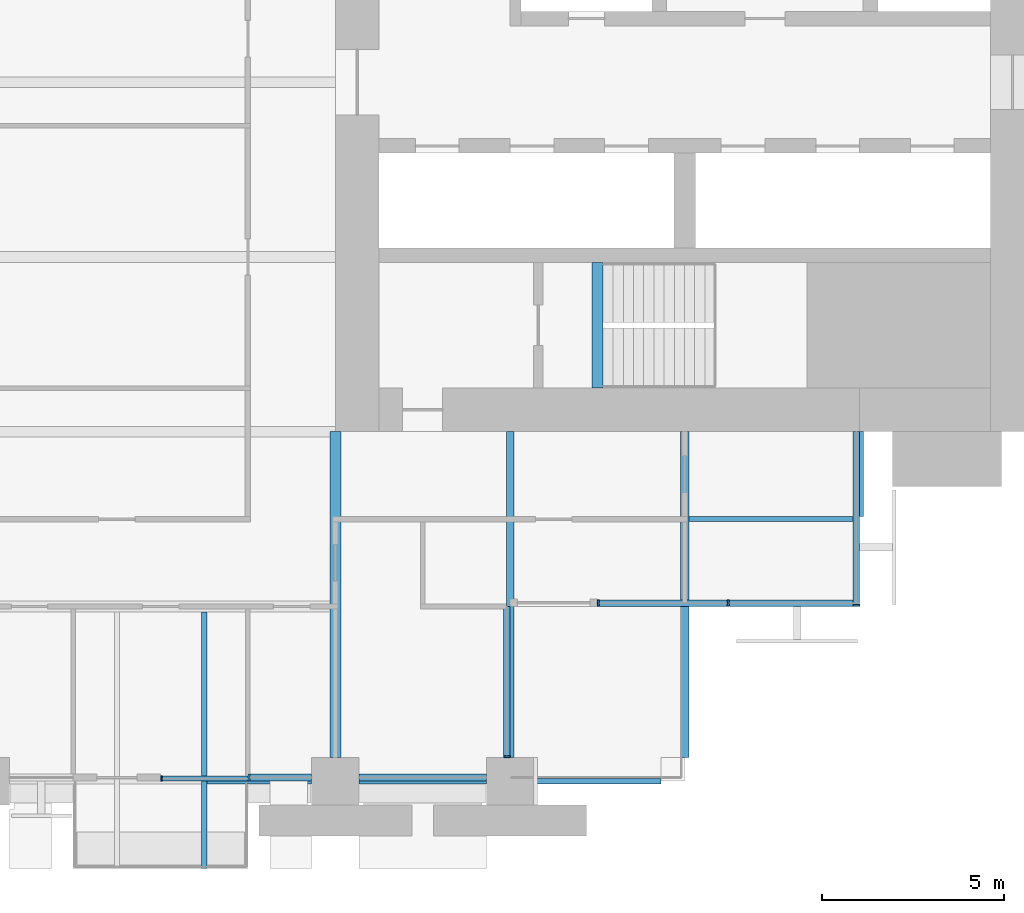
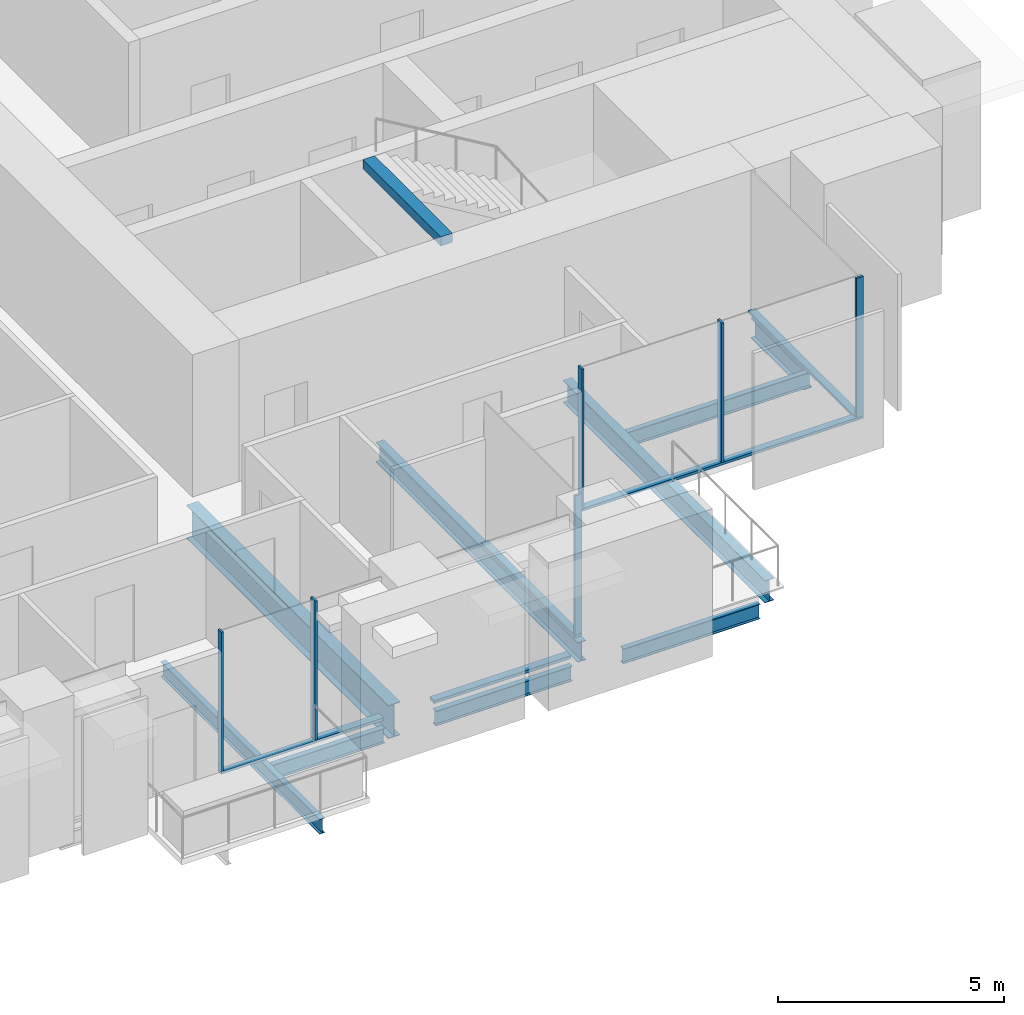
# One storey, part 4 of 15: 12 members, 10 beams, 5 elements without a shape of their own.
"""IFC4 building model written with IfcOpenShell, lengths in metres."""

from ifc_helpers import new_model, si_unit, direction, frame, origin, origin_2d, place, context, subcontext, project, spatial, rectangle, i_section, extrude, material, material_profile, profile_set, type_object, element, aggregate, save


model = new_model("IFC4")

# Units and contexts
model_context = context("Model", 3, precision=1e-05, world=origin(), true_north=direction((0.0, 1.0)))
body_context = subcontext(model_context, "Body", "Model", "MODEL_VIEW")
ifc_project = project(units=[si_unit("LENGTHUNIT", "METRE"), si_unit("AREAUNIT", "SQUARE_METRE"), si_unit("VOLUMEUNIT", "CUBIC_METRE"), si_unit("PLANEANGLEUNIT", "RADIAN"), si_unit("MASSUNIT", "GRAM", prefix="KILO")], contexts=[model_context])

# Site, building, storey
site_placement = place(None, origin())
site = spatial("IfcSite", under=ifc_project, at=site_placement, CompositionType="ELEMENT")
building_placement = place(site_placement, origin())
building = spatial("IfcBuilding", under=site, at=building_placement, Name="Baori Bourse Tower", CompositionType="ELEMENT")
storey_placement = place(building_placement, frame((0.0, 0.0, 59.0)))
storey = spatial("IfcBuildingStorey", under=building, at=storey_placement, Name="L12", CompositionType="ELEMENT", Elevation=59.0)

# Beam
ifc_material_1 = material(Name="Steel A992 Gr 50", Category="steel")
ifc_material_profile_1 = material_profile(ifc_material_1, i_section(OverallWidth=0.140380859375, OverallDepth=0.40380859375, WebThickness=0.007080078125, FlangeThickness=0.01123046875, at=origin_2d()), Name="W16x31")
ifc_profile_set_1 = profile_set([ifc_material_profile_1], Name="Steel A992 Gr 50")
beam_type_1 = type_object("IfcBeamType", Name="Balcony beam W16x31", PredefinedType="BEAM", material=ifc_profile_set_1)
beam_1_placement = place(storey_placement, frame((34.800048828125, -2.39990234375, -0.36181640625), z_axis=(0.0, 1.0, 0.0), x_axis=(-1.0, 0.0, 0.0)))
element("IfcBeam", 1, at=beam_1_placement, inside=storey, type_object=beam_type_1, Name="Balcony beam L12", PredefinedType="BEAM", context=body_context, shape_type="SweptSolid", body=[
    extrude(i_section(OverallWidth=0.140380859375, OverallDepth=0.40380859375, WebThickness=0.007080078125, FlangeThickness=0.01123046875, at=origin_2d()), origin(), (0.0, 0.0, 1.0), 7.050048828125),
])

# Curtain wall, members
ifc_material_2 = material(Name="Pale anodised aluminium", Category="aluminium")
curtain_wall_type_1 = type_object("IfcCurtainWallType", Name="CW1 Curtain wall", PredefinedType="NOTDEFINED", material=ifc_material_2)
curtain_wall_1_placement = place(storey_placement, origin())
curtain_wall_1 = element("IfcCurtainWall", 2, at=curtain_wall_1_placement, inside=storey, type_object=curtain_wall_type_1, Name="Curtain wall CW1 L12 15", PredefinedType="NOTDEFINED")
ifc_material_3 = material(Name="Pale anodised aluminium", Category="aluminium")
ifc_material_profile_2 = material_profile(ifc_material_3, rectangle(XDim=0.199951171875, YDim=0.06005859375, at=origin_2d()), Name="Mullion 60x200")
ifc_profile_set_2 = profile_set([ifc_material_profile_2], Name="Pale anodised aluminium")
member_type_1 = type_object("IfcMemberType", Name="CW1 Curtain wall mullion", PredefinedType="MULLION", material=ifc_profile_set_2)
member_1_placement = place(storey_placement, frame((36.030029296875, 0.10009765625, 0.080078125), z_axis=(0.0, 0.0, 1.0), x_axis=(0.0, 1.0, 0.0)))
member_1 = element("IfcMember", 3, at=member_1_placement, type_object=member_type_1, Name="Curtain wall CW1 mullion", PredefinedType="MULLION", context=body_context, shape_type="SweptSolid", body=[
    extrude(rectangle(XDim=0.199951171875, YDim=0.06005859375, at=origin_2d()), origin(), (0.0, 0.0, 1.0), 3.760009765625),
])
ifc_material_4 = material(Name="Pale anodised aluminium", Category="aluminium")
ifc_material_profile_3 = material_profile(ifc_material_4, rectangle(XDim=0.199951171875, YDim=0.080078125, at=origin_2d()), Name="Transom 80x200")
ifc_profile_set_3 = profile_set([ifc_material_profile_3], Name="Pale anodised aluminium")
member_type_2 = type_object("IfcMemberType", Name="CW1 Curtain wall transom", PredefinedType="USERDEFINED", material=ifc_profile_set_3)
member_2_placement = place(storey_placement, frame((36.0, 0.10009765625, 0.0400390625), z_axis=(1.0, 0.0, 0.0), x_axis=(0.0, 1.0, 0.0)))
member_2 = element("IfcMember", 4, at=member_2_placement, type_object=member_type_2, Name="Curtain wall CW1 sill rail", ObjectType="TRANSOM", PredefinedType="USERDEFINED", context=body_context, shape_type="SweptSolid", body=[
    extrude(rectangle(XDim=0.199951171875, YDim=0.080078125, at=origin_2d()), origin(), (0.0, 0.0, 1.0), 1.75),
])
member_3_placement = place(storey_placement, frame((39.050048828125, 0.10009765625, 0.0400390625), z_axis=(1.0, 0.0, 0.0), x_axis=(0.0, 1.0, 0.0)))
member_3 = element("IfcMember", 5, at=member_3_placement, type_object=member_type_2, Name="Curtain wall CW1 sill rail", ObjectType="TRANSOM", PredefinedType="USERDEFINED", context=body_context, shape_type="SweptSolid", body=[
    extrude(rectangle(XDim=0.199951171875, YDim=0.080078125, at=origin_2d()), origin(), (0.0, 0.0, 1.0), 3.5),
])
aggregate(curtain_wall_1, [member_2, member_1, member_3])

# Curtain wall, member
ifc_material_5 = material(Name="Pale anodised aluminium", Category="aluminium")
curtain_wall_type_2 = type_object("IfcCurtainWallType", Name="CW2 Curtain wall", PredefinedType="NOTDEFINED", material=ifc_material_5)
curtain_wall_2_placement = place(storey_placement, origin())
curtain_wall_2 = element("IfcCurtainWall", 6, at=curtain_wall_2_placement, inside=storey, type_object=curtain_wall_type_2, Name="Curtain wall CW2 L12 16", PredefinedType="NOTDEFINED")
ifc_material_6 = material(Name="Pale anodised aluminium", Category="aluminium")
ifc_material_profile_4 = material_profile(ifc_material_6, rectangle(XDim=0.179931640625, YDim=0.054931640625, at=origin_2d()), Name="Mullion 55x180")
ifc_profile_set_4 = profile_set([ifc_material_profile_4], Name="Pale anodised aluminium")
member_type_3 = type_object("IfcMemberType", Name="CW2 Curtain wall mullion", PredefinedType="MULLION", material=ifc_profile_set_4)
member_4_placement = place(storey_placement, frame((43.110107421875, 0.677490234375, 0.070068359375), z_axis=(0.0, 0.0, 1.0), x_axis=(-1.0, 0.0, 0.0)))
member_4 = element("IfcMember", 7, at=member_4_placement, type_object=member_type_3, Name="Curtain wall CW2 mullion", PredefinedType="MULLION", context=body_context, shape_type="SweptSolid", body=[
    extrude(rectangle(XDim=0.179931640625, YDim=0.054931640625, at=origin_2d()), origin(), (0.0, 0.0, 1.0), 3.77001953125),
])

# Curtain wall, members
curtain_wall_3_placement = place(storey_placement, origin())
curtain_wall_3 = element("IfcCurtainWall", 8, at=curtain_wall_3_placement, inside=storey, type_object=curtain_wall_type_2, Name="Curtain wall CW2 L12 17", PredefinedType="NOTDEFINED")
member_5_placement = place(storey_placement, frame((45.62744140625, 4.889892578125, 0.070068359375), z_axis=(0.0, 0.0, 1.0), x_axis=(0.0, 1.0, 0.0)))
member_5 = element("IfcMember", 9, at=member_5_placement, type_object=member_type_3, Name="Curtain wall CW2 mullion", PredefinedType="MULLION", context=body_context, shape_type="SweptSolid", body=[
    extrude(rectangle(XDim=0.179931640625, YDim=0.054931640625, at=origin_2d()), origin(), (0.0, 0.0, 1.0), 3.77001953125),
])
member_6_placement = place(storey_placement, frame((49.199951171875, 4.889892578125, 0.070068359375), z_axis=(0.0, 0.0, 1.0), x_axis=(0.0, 1.0, 0.0)))
member_6 = element("IfcMember", 10, at=member_6_placement, type_object=member_type_3, Name="Curtain wall CW2 mullion", PredefinedType="MULLION", context=body_context, shape_type="SweptSolid", body=[
    extrude(rectangle(XDim=0.179931640625, YDim=0.054931640625, at=origin_2d()), origin(), (0.0, 0.0, 1.0), 3.77001953125),
])

# Curtain wall, member
curtain_wall_4_placement = place(storey_placement, origin())
curtain_wall_4 = element("IfcCurtainWall", 11, at=curtain_wall_4_placement, inside=storey, type_object=curtain_wall_type_2, Name="Curtain wall CW2 L12 18", PredefinedType="NOTDEFINED")
member_7_placement = place(storey_placement, frame((52.7099609375, 4.827392578125, 0.070068359375), z_axis=(0.0, 0.0, 1.0), x_axis=(-1.0, 0.0, 0.0)))
member_7 = element("IfcMember", 12, at=member_7_placement, type_object=member_type_3, Name="Curtain wall CW2 mullion", PredefinedType="MULLION", context=body_context, shape_type="SweptSolid", body=[
    extrude(rectangle(XDim=0.179931640625, YDim=0.054931640625, at=origin_2d()), origin(), (0.0, 0.0, 1.0), 3.77001953125),
])

# Member
ifc_material_7 = material(Name="Pale anodised aluminium", Category="aluminium")
ifc_material_profile_5 = material_profile(ifc_material_7, rectangle(XDim=0.179931640625, YDim=0.070068359375, at=origin_2d()), Name="Transom 70x180")
ifc_profile_set_5 = profile_set([ifc_material_profile_5], Name="Pale anodised aluminium")
member_type_4 = type_object("IfcMemberType", Name="CW2 Curtain wall transom", PredefinedType="USERDEFINED", material=ifc_profile_set_5)
member_8_placement = place(storey_placement, frame((43.110107421875, 0.64990234375, 0.034912109375), z_axis=(0.0, 1.0, 0.0), x_axis=(-1.0, 0.0, 0.0)))
member_8 = element("IfcMember", 13, at=member_8_placement, type_object=member_type_4, Name="Curtain wall CW2 sill rail", ObjectType="TRANSOM", PredefinedType="USERDEFINED", context=body_context, shape_type="SweptSolid", body=[
    extrude(rectangle(XDim=0.179931640625, YDim=0.070068359375, at=origin_2d()), origin(), (0.0, 0.0, 1.0), 4.150146484375),
])

aggregate(curtain_wall_2, [member_8, member_4])

member_9_placement = place(storey_placement, frame((45.60009765625, 4.889892578125, 0.034912109375), z_axis=(1.0, 0.0, 0.0), x_axis=(0.0, 1.0, 0.0)))
member_9 = element("IfcMember", 14, at=member_9_placement, type_object=member_type_4, Name="Curtain wall CW2 sill rail", ObjectType="TRANSOM", PredefinedType="USERDEFINED", context=body_context, shape_type="SweptSolid", body=[
    extrude(rectangle(XDim=0.179931640625, YDim=0.070068359375, at=origin_2d()), origin(), (0.0, 0.0, 1.0), 7.199951171875),
])

aggregate(curtain_wall_3, [member_9, member_5, member_6])

member_10_placement = place(storey_placement, frame((52.7099609375, 4.800048828125, 0.034912109375), z_axis=(0.0, 1.0, 0.0), x_axis=(-1.0, 0.0, 0.0)))
member_10 = element("IfcMember", 15, at=member_10_placement, type_object=member_type_4, Name="Curtain wall CW2 sill rail", ObjectType="TRANSOM", PredefinedType="USERDEFINED", context=body_context, shape_type="SweptSolid", body=[
    extrude(rectangle(XDim=0.179931640625, YDim=0.070068359375, at=origin_2d()), origin(), (0.0, 0.0, 1.0), 4.800048828125),
])

aggregate(curtain_wall_4, [member_10, member_7])

# Curtain wall, members
ifc_material_8 = material(Name="Pale anodised aluminium", Category="aluminium")
curtain_wall_type_3 = type_object("IfcCurtainWallType", Name="CW6 Curtain wall", PredefinedType="NOTDEFINED", material=ifc_material_8)
curtain_wall_5_placement = place(storey_placement, origin())
curtain_wall_5 = element("IfcCurtainWall", 16, at=curtain_wall_5_placement, inside=storey, type_object=curtain_wall_type_3, Name="Curtain wall CW6 L12 14", PredefinedType="NOTDEFINED")
ifc_material_9 = material(Name="Pale anodised aluminium", Category="aluminium")
ifc_material_profile_6 = material_profile(ifc_material_9, rectangle(XDim=0.14990234375, YDim=0.050048828125, at=origin_2d()), Name="Mullion 50x150")
ifc_profile_set_6 = profile_set([ifc_material_profile_6], Name="Pale anodised aluminium")
member_type_5 = type_object("IfcMemberType", Name="CW6 Curtain wall mullion", PredefinedType="MULLION", material=ifc_profile_set_6)
member_11_placement = place(storey_placement, frame((33.625, 0.074951171875, 0.06494140625), z_axis=(0.0, 0.0, 1.0), x_axis=(0.0, 1.0, 0.0)))
member_11 = element("IfcMember", 17, at=member_11_placement, type_object=member_type_5, Name="Curtain wall CW6 mullion", PredefinedType="MULLION", context=body_context, shape_type="SweptSolid", body=[
    extrude(rectangle(XDim=0.14990234375, YDim=0.050048828125, at=origin_2d()), origin(), (0.0, 0.0, 1.0), 3.775146484375),
])
ifc_material_10 = material(Name="Pale anodised aluminium", Category="aluminium")
ifc_material_profile_7 = material_profile(ifc_material_10, rectangle(XDim=0.14990234375, YDim=0.06494140625, at=origin_2d()), Name="Transom 65x150")
ifc_profile_set_7 = profile_set([ifc_material_profile_7], Name="Pale anodised aluminium")
member_type_6 = type_object("IfcMemberType", Name="CW6 Curtain wall transom", PredefinedType="USERDEFINED", material=ifc_profile_set_7)
member_12_placement = place(storey_placement, frame((33.60009765625, 0.074951171875, 0.032470703125), z_axis=(1.0, 0.0, 0.0), x_axis=(0.0, 1.0, 0.0)))
member_12 = element("IfcMember", 18, at=member_12_placement, type_object=member_type_6, Name="Curtain wall CW6 sill rail", ObjectType="TRANSOM", PredefinedType="USERDEFINED", context=body_context, shape_type="SweptSolid", body=[
    extrude(rectangle(XDim=0.14990234375, YDim=0.06494140625, at=origin_2d()), origin(), (0.0, 0.0, 1.0), 2.39990234375),
])
aggregate(curtain_wall_5, [member_12, member_11])

# Beams
ifc_material_11 = material(Name="Steel A992 Gr 50", Category="steel")
ifc_material_profile_8 = material_profile(ifc_material_11, i_section(OverallWidth=0.21240234375, OverallDepth=0.54345703125, WebThickness=0.01318359375, FlangeThickness=0.021240234375, at=origin_2d()), Name="W21x83")
ifc_profile_set_8 = profile_set([ifc_material_profile_8], Name="Steel A992 Gr 50")
beam_type_2 = type_object("IfcBeamType", Name="Core bracket W21x83", PredefinedType="BEAM", material=ifc_profile_set_8)
beam_2_placement = place(storey_placement, frame((52.800048828125, 7.270263671875, -0.431884765625), z_axis=(0.0, 1.0, 0.0), x_axis=(-1.0, 0.0, 0.0)))
element("IfcBeam", 19, at=beam_2_placement, inside=storey, type_object=beam_type_2, Name="Core bracket L12", PredefinedType="BEAM", context=body_context, shape_type="SweptSolid", body=[
    extrude(i_section(OverallWidth=0.21240234375, OverallDepth=0.54345703125, WebThickness=0.01318359375, FlangeThickness=0.021240234375, at=origin_2d()), origin(), (0.0, 0.0, 1.0), 2.329833984375),
])
ifc_material_12 = material(Name="Steel A992 Gr 50", Category="steel")
ifc_material_profile_9 = material_profile(ifc_material_12, i_section(OverallWidth=0.140380859375, OverallDepth=0.40380859375, WebThickness=0.007080078125, FlangeThickness=0.01123046875, at=origin_2d()), Name="W16x31")
ifc_profile_set_9 = profile_set([ifc_material_profile_9], Name="Steel A992 Gr 50")
beam_type_3 = type_object("IfcBeamType", Name="Edge beam W16x31", PredefinedType="BEAM", material=ifc_profile_set_9)
beam_3_placement = place(storey_placement, frame((34.8701171875, 0.0, -0.36181640625), z_axis=(1.0, 0.0, 0.0), x_axis=(0.0, 1.0, 0.0)))
element("IfcBeam", 20, at=beam_3_placement, inside=storey, type_object=beam_type_3, Name="Edge beam L12", PredefinedType="BEAM", context=body_context, shape_type="SweptSolid", body=[
    extrude(i_section(OverallWidth=0.140380859375, OverallDepth=0.40380859375, WebThickness=0.007080078125, FlangeThickness=0.01123046875, at=origin_2d()), origin(), (0.0, 0.0, 1.0), 2.8798828125),
])
for number, where, z_axis, x_axis, name in (
    (21, (39.050048828125, 0.0, -0.36181640625), (1.0, 0.0, 0.0), (0.0, 1.0, 0.0), "Edge beam L12"),
    (22, (43.85009765625, 0.0, -0.36181640625), (1.0, 0.0, 0.0), (0.0, 1.0, 0.0), "Edge beam L12"),
):
    element("IfcBeam", number, at=place(storey_placement, frame(where, z_axis=z_axis, x_axis=x_axis)), inside=storey, type_object=beam_type_3, Name=name, PredefinedType="BEAM", context=body_context, shape_type="SweptSolid", body=[
        extrude(i_section(OverallWidth=0.140380859375, OverallDepth=0.40380859375, WebThickness=0.007080078125, FlangeThickness=0.01123046875, at=origin_2d()), origin(), (0.0, 0.0, 1.0), 3.5),
    ])
ifc_material_13 = material(Name="Steel A992 Gr 50", Category="steel")
ifc_material_profile_10 = material_profile(ifc_material_13, i_section(OverallWidth=0.209228515625, OverallDepth=0.533447265625, WebThickness=0.01025390625, FlangeThickness=0.015625, at=origin_2d()), Name="W21x62")
ifc_profile_set_10 = profile_set([ifc_material_profile_10], Name="Steel A992 Gr 50")
beam_type_4 = type_object("IfcBeamType", Name="Floor beam W21x62", PredefinedType="BEAM", material=ifc_profile_set_10)
beam_4_placement = place(storey_placement, frame((43.199951171875, 0.64990234375, -0.4267578125), z_axis=(0.0, 1.0, 0.0), x_axis=(-1.0, 0.0, 0.0)))
element("IfcBeam", 23, at=beam_4_placement, inside=storey, type_object=beam_type_4, Name="Floor beam L12", PredefinedType="BEAM", context=body_context, shape_type="SweptSolid", body=[
    extrude(i_section(OverallWidth=0.209228515625, OverallDepth=0.533447265625, WebThickness=0.01025390625, FlangeThickness=0.015625, at=origin_2d()), origin(), (0.0, 0.0, 1.0), 8.9501953125),
])
ifc_material_14 = material(Name="Steel A992 Gr 50", Category="steel")
ifc_material_profile_11 = material_profile(ifc_material_14, i_section(OverallWidth=0.227783203125, OverallDepth=0.60205078125, WebThickness=0.010498046875, FlangeThickness=0.014892578125, at=origin_2d()), Name="W24x68")
ifc_profile_set_11 = profile_set([ifc_material_profile_11], Name="Steel A992 Gr 50")
beam_type_5 = type_object("IfcBeamType", Name="Floor beam W24x68", PredefinedType="BEAM", material=ifc_profile_set_11)
beam_5_placement = place(storey_placement, frame((48.0, 0.64990234375, -0.4609375), z_axis=(0.0, 1.0, 0.0), x_axis=(-1.0, 0.0, 0.0)))
element("IfcBeam", 24, at=beam_5_placement, inside=storey, type_object=beam_type_5, Name="Floor beam L12", PredefinedType="BEAM", context=body_context, shape_type="SweptSolid", body=[
    extrude(i_section(OverallWidth=0.227783203125, OverallDepth=0.60205078125, WebThickness=0.010498046875, FlangeThickness=0.014892578125, at=origin_2d()), origin(), (0.0, 0.0, 1.0), 8.9501953125),
])
ifc_material_15 = material(Name="Steel A992 Gr 50", Category="steel")
ifc_material_profile_12 = material_profile(ifc_material_15, i_section(OverallWidth=0.3046875, OverallDepth=0.904296875, WebThickness=0.01513671875, FlangeThickness=0.02001953125, at=origin_2d()), Name="W36x135")
ifc_profile_set_12 = profile_set([ifc_material_profile_12], Name="Steel A992 Gr 50")
beam_type_6 = type_object("IfcBeamType", Name="Girder W36x135", PredefinedType="BEAM", material=ifc_profile_set_12)
beam_6_placement = place(storey_placement, frame((38.39990234375, 0.64990234375, -0.612060546875), z_axis=(0.0, 1.0, 0.0), x_axis=(-1.0, 0.0, 0.0)))
element("IfcBeam", 25, at=beam_6_placement, inside=storey, type_object=beam_type_6, Name="Girder L12", PredefinedType="BEAM", context=body_context, shape_type="SweptSolid", body=[
    extrude(i_section(OverallWidth=0.3046875, OverallDepth=0.904296875, WebThickness=0.01513671875, FlangeThickness=0.02001953125, at=origin_2d()), origin(), (0.0, 0.0, 1.0), 8.9501953125),
])
ifc_material_16 = material(Name="Concrete f'c 50 MPa", Category="concrete")
ifc_material_profile_13 = material_profile(ifc_material_16, rectangle(XDim=0.300048828125, YDim=0.25, at=origin_2d()), Name="RC 300x250")
ifc_profile_set_13 = profile_set([ifc_material_profile_13], Name="Concrete f'c 50 MPa")
beam_type_7 = type_object("IfcBeamType", Name="Stair nib beam RC 300x250", PredefinedType="BEAM", material=ifc_profile_set_13)
beam_7_placement = place(storey_placement, frame((45.60009765625, 10.800048828125, 3.715087890625), z_axis=(0.0, 1.0, 0.0), x_axis=(-1.0, 0.0, 0.0)))
element("IfcBeam", 26, at=beam_7_placement, inside=storey, type_object=beam_type_7, Name="Stair EA nib beam L13", PredefinedType="BEAM", context=body_context, shape_type="SweptSolid", body=[
    extrude(rectangle(XDim=0.300048828125, YDim=0.25, at=origin_2d()), origin(), (0.0, 0.0, 1.0), 3.449951171875),
])
ifc_material_17 = material(Name="Steel A992 Gr 50", Category="steel")
ifc_material_profile_14 = material_profile(ifc_material_17, i_section(OverallWidth=0.140380859375, OverallDepth=0.40380859375, WebThickness=0.007080078125, FlangeThickness=0.01123046875, at=origin_2d()), Name="W16x31")
ifc_profile_set_14 = profile_set([ifc_material_profile_14], Name="Steel A992 Gr 50")
beam_type_8 = type_object("IfcBeamType", Name="Trimmer beam W16x31", PredefinedType="BEAM", material=ifc_profile_set_14)
beam_8_placement = place(storey_placement, frame((48.114013671875, 7.199951171875, -0.36181640625), z_axis=(1.0, 0.0, 0.0), x_axis=(0.0, 1.0, 0.0)))
element("IfcBeam", 27, at=beam_8_placement, inside=storey, type_object=beam_type_8, Name="Trimmer beam L12", PredefinedType="BEAM", context=body_context, shape_type="SweptSolid", body=[
    extrude(i_section(OverallWidth=0.140380859375, OverallDepth=0.40380859375, WebThickness=0.007080078125, FlangeThickness=0.01123046875, at=origin_2d()), origin(), (0.0, 0.0, 1.0), 4.68603515625),
])

save(model, "model.ifc")
